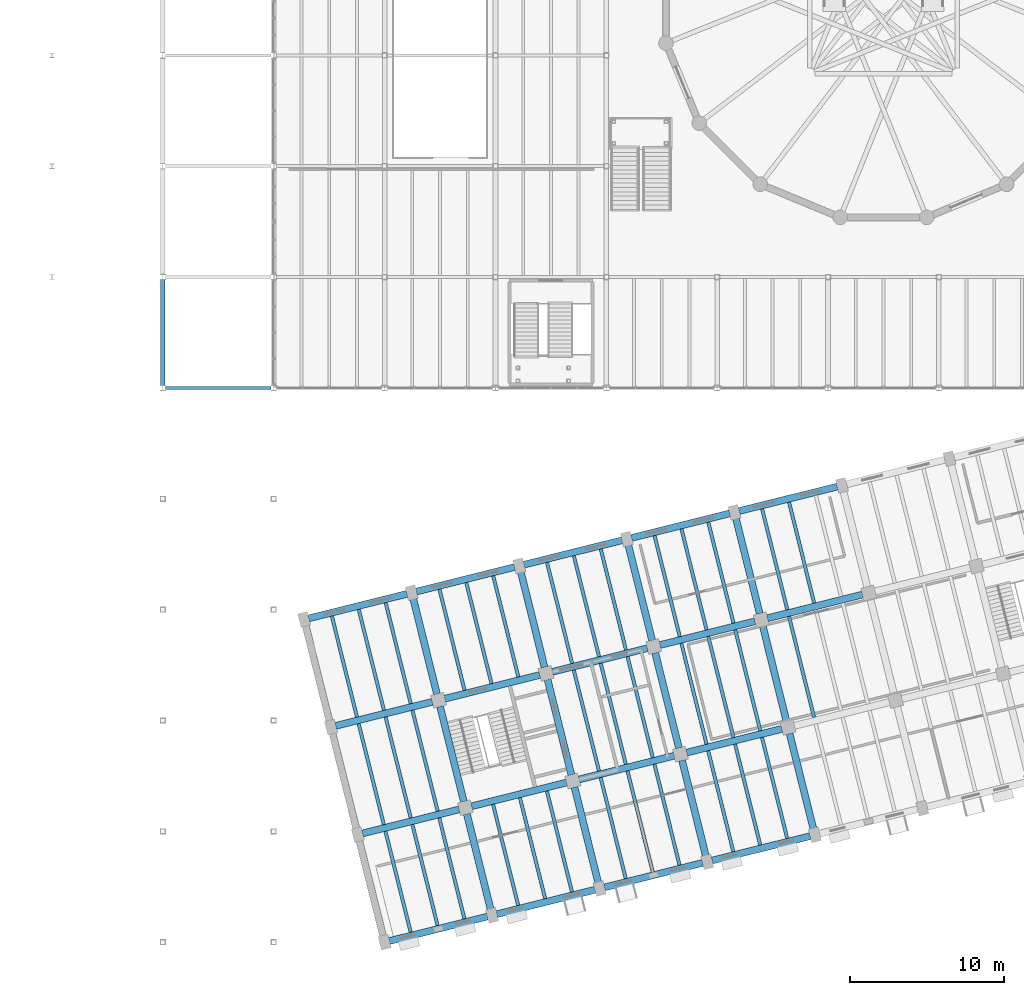
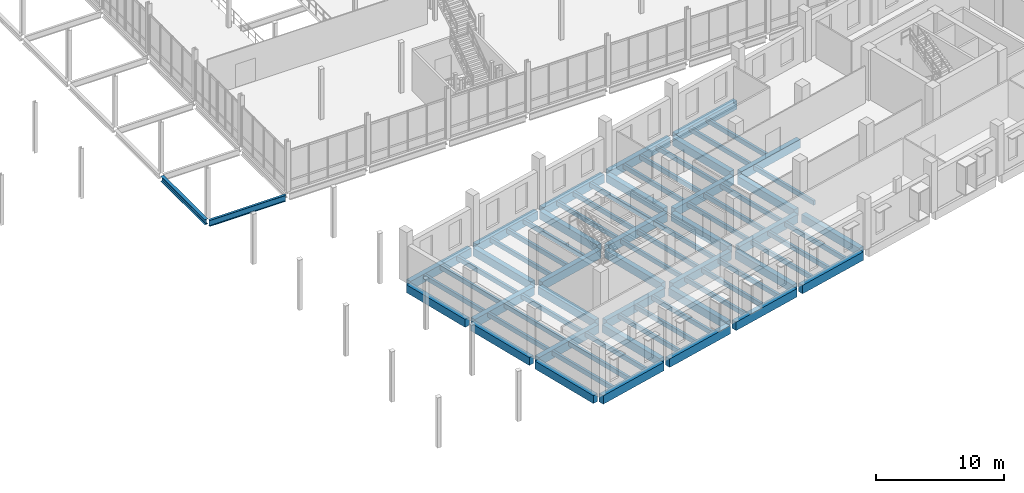
# One storey, part 19 of 77: 71 beams.
"""IFC4 building model written with IfcOpenShell, lengths in metres."""

import ifcopenshell
import ifcopenshell.guid

model = None  # the IFC model being written
_history = None  # IfcOwnerHistory: only IFC2X3 demands one
_inside = {}  # id of a spatial element -> (the spatial element, [elements in it])
_under = {}  # id of a project, library or spatial element -> (it, [spatial elements below it])
_declared = {}  # id of a project -> (the project, [libraries it declares])
_typed = {}  # id of a type object -> (the type object, [elements of that type])
_made_of = {}  # id of a material, layer set ... -> (it, [elements and type objects made of it])


def new_model(schema):
    """Start an empty IFC model of exactly this schema.

    Asked for "IFC4X3", IfcOpenShell would pick the latest addendum, in which some entities
    have other attributes; the version numbers below select the first issue.
    IFC2X3 requires an IfcOwnerHistory on every rooted entity: one is made here for all.
    """
    global model, _history
    if schema == "IFC4X3":
        model = ifcopenshell.file(schema_version=(4, 3, 0, 0))
    else:
        model = ifcopenshell.file(schema=schema)
    _inside.clear()
    _under.clear()
    _declared.clear()
    _typed.clear()
    _made_of.clear()
    _history = None
    if model.schema == "IFC2X3":
        org = make("IfcOrganization", Name="unknown")
        user = make(
            "IfcPersonAndOrganization",
            ThePerson=make("IfcPerson", FamilyName="unknown"),
            TheOrganization=org,
        )
        app = make(
            "IfcApplication",
            ApplicationDeveloper=org,
            Version="unknown",
            ApplicationFullName="unknown",
            ApplicationIdentifier="unknown",
        )
        _history = make(
            "IfcOwnerHistory",
            OwningUser=user,
            OwningApplication=app,
            ChangeAction="ADDED",
            CreationDate=0,
        )
    return model


def make(cls, **values):
    """One entity of the class cls with the attributes given. An attribute that is None is left unset."""
    return model.create_entity(
        cls, **{name: value for name, value in values.items() if value is not None}
    )


def rooted(cls, **values):
    """An entity with a GlobalId (a new one), such as an element, a storey or a relation."""
    return make(cls, GlobalId=ifcopenshell.guid.new(), OwnerHistory=_history, **values)


def si_unit(unit_type, name, prefix=None):
    """IfcSIUnit, for example si_unit("LENGTHUNIT", "METRE", prefix="MILLI")."""
    return make("IfcSIUnit", UnitType=unit_type, Prefix=prefix, Name=name)


def assignment(units):
    """IfcUnitAssignment: the units of a project."""
    return None if units is None else make("IfcUnitAssignment", Units=units)


def point(xyz):
    """IfcCartesianPoint."""
    return None if xyz is None else make("IfcCartesianPoint", Coordinates=xyz)


def direction(xyz):
    """IfcDirection."""
    return None if xyz is None else make("IfcDirection", DirectionRatios=xyz)


def frame(location, z_axis=None, x_axis=None):
    """IfcAxis2Placement3D, a coordinate frame: its origin and axes. An axis left out is left unset."""
    return make(
        "IfcAxis2Placement3D",
        Location=point(location),
        Axis=direction(z_axis),
        RefDirection=direction(x_axis),
    )


def frame_2d(location, x_axis=None):
    """IfcAxis2Placement2D, a coordinate frame in the plane: its origin and x axis."""
    return make(
        "IfcAxis2Placement2D", Location=point(location), RefDirection=direction(x_axis)
    )


def origin():
    """The frame at (0, 0, 0) with its axes left unset."""
    return frame((0.0, 0.0, 0.0))


def origin_2d():
    """The frame at (0, 0) in the plane with its x axis left unset."""
    return frame_2d((0.0, 0.0))


def place(relative_to, where):
    """IfcLocalPlacement: puts the frame where relative to a parent placement (None: the world)."""
    return make(
        "IfcLocalPlacement", PlacementRelTo=relative_to, RelativePlacement=where
    )


def context(
    kind, dimensions, precision=None, world=None, true_north=None, identifier=None
):
    """IfcGeometricRepresentationContext, for example the 3D "Model" context."""
    return make(
        "IfcGeometricRepresentationContext",
        ContextIdentifier=identifier,
        ContextType=kind,
        CoordinateSpaceDimension=dimensions,
        Precision=precision,
        WorldCoordinateSystem=world,
        TrueNorth=true_north,
    )


def subcontext(parent, identifier, kind, view, scale=None):
    """IfcGeometricRepresentationSubContext, for example "Body" below "Model"."""
    return make(
        "IfcGeometricRepresentationSubContext",
        ContextIdentifier=identifier,
        ContextType=kind,
        ParentContext=parent,
        TargetScale=scale,
        TargetView=view,
    )


def project(units=None, contexts=None):
    """IfcProject with its units and contexts."""
    return rooted(
        "IfcProject",
        Name="project",
        RepresentationContexts=contexts,
        UnitsInContext=assignment(units),
    )


def spatial(cls, under=None, at=None, **own):
    """A site, building, storey or space (cls), placed at a placement, below another one or the project."""
    s = rooted(cls, ObjectPlacement=at, **own)
    if under is not None:
        _under.setdefault(under.id(), (under, []))[1].append(s)
    return s


def profile(cls, at=None, kind="AREA", **sizes):
    """A parametric profile (cls). Its sizes go by their IFC names, for example OverallWidth=200.0."""
    return make(cls, ProfileType=kind, Position=at, **sizes)


def rectangle(**sizes):
    """IfcRectangleProfileDef."""
    return profile("IfcRectangleProfileDef", **sizes)


def i_section(**sizes):
    """IfcIShapeProfileDef."""
    return profile("IfcIShapeProfileDef", **sizes)


def extrude(swept, where, along, depth):
    """IfcExtrudedAreaSolid: the profile swept, set in the frame where, extruded along a direction by depth."""
    return make(
        "IfcExtrudedAreaSolid",
        SweptArea=swept,
        Position=where,
        ExtrudedDirection=direction(along),
        Depth=depth,
    )


def shape(context_of_items, identifier, shape_type, items):
    """IfcShapeRepresentation: the items that make up one representation, for example the "Body"."""
    return make(
        "IfcShapeRepresentation",
        ContextOfItems=context_of_items,
        RepresentationIdentifier=identifier,
        RepresentationType=shape_type,
        Items=items,
    )


def material(Name=None, Category=None):
    """IfcMaterial."""
    return make("IfcMaterial", Name=Name, Category=Category)


def material_profile(
    of_material, cross_section, Name=None, Category=None, Priority=None
):
    """IfcMaterialProfile: a cross section and its material."""
    return make(
        "IfcMaterialProfile",
        Name=Name,
        Material=of_material,
        Profile=cross_section,
        Priority=Priority,
        Category=Category,
    )


def profile_set(profiles, Name=None, composite=None):
    """IfcMaterialProfileSet."""
    return make(
        "IfcMaterialProfileSet",
        Name=Name,
        MaterialProfiles=profiles,
        CompositeProfile=composite,
    )


def made_of(thing, what):
    """Note that an element or type object is made of a material, layer set ...; save() writes the relation."""
    if what is not None:
        _made_of.setdefault(what.id(), (what, []))[1].append(thing)
    return thing


def type_object(cls, material=None, **own):
    """A type object (cls), such as IfcWallType, which elements share."""
    return made_of(rooted(cls, **own), material)


def element(
    cls,
    number,
    at=None,
    inside=None,
    cuts=None,
    type_object=None,
    material=None,
    context=None,
    identifier="Body",
    shape_type=None,
    held_by="IfcProductDefinitionShape",
    body=None,
    shapes=None,
    **own,
):
    """One element of the class cls, such as IfcWall. Its Tag is "e" and its number.

    at: its placement. inside: the storey or other place that contains it. cuts: it is an
    opening in that element (IfcRelVoidsElement). A single representation is given by context,
    identifier, shape_type and body (its items); several are given by shapes. held_by: the class
    of the entity that holds the representations. save() writes the other relations.
    """
    e = rooted(cls, Tag="e%d" % number, ObjectPlacement=at, **own)
    if body is not None:
        shapes = [shape(context, identifier, shape_type, body)]
    if shapes is not None:
        e.Representation = make(held_by, Representations=shapes)
    if inside is not None:
        _inside.setdefault(inside.id(), (inside, []))[1].append(e)
    if cuts is not None:
        rooted(
            "IfcRelVoidsElement", RelatingBuildingElement=cuts, RelatedOpeningElement=e
        )
    if type_object is not None:
        _typed.setdefault(type_object.id(), (type_object, []))[1].append(e)
    return made_of(e, material)


def aggregate(whole, parts):
    """IfcRelAggregates: a whole, such as a stair, and the parts it consists of."""
    return rooted("IfcRelAggregates", RelatingObject=whole, RelatedObjects=parts)


def save(model, path):
    """Write the relations noted so far, then the file.

    IfcRelAggregates (storeys below a building ...), IfcRelContainedInSpatialStructure (elements
    in a storey), IfcRelDefinesByType, IfcRelAssociatesMaterial and IfcRelDeclares: one each for
    every whole, place, type object, material and project.
    """
    for whole, parts in _under.values():
        aggregate(whole, parts)
    for where, things in _inside.values():
        rooted(
            "IfcRelContainedInSpatialStructure",
            RelatedElements=things,
            RelatingStructure=where,
        )
    for kind, things in _typed.values():
        rooted("IfcRelDefinesByType", RelatedObjects=things, RelatingType=kind)
    for what, things in _made_of.values():
        rooted("IfcRelAssociatesMaterial", RelatedObjects=things, RelatingMaterial=what)
    for by, libraries in _declared.values():
        rooted("IfcRelDeclares", RelatingContext=by, RelatedDefinitions=libraries)
    model.write(path)


model = new_model("IFC4")

# Units and contexts
model_context = context("Model", 3, precision=1e-05, world=origin(), true_north=direction((0.0, 1.0)))
body_context = subcontext(model_context, "Body", "Model", "MODEL_VIEW")
ifc_project = project(units=[si_unit("LENGTHUNIT", "METRE"), si_unit("AREAUNIT", "SQUARE_METRE"), si_unit("VOLUMEUNIT", "CUBIC_METRE"), si_unit("PLANEANGLEUNIT", "RADIAN"), si_unit("MASSUNIT", "GRAM", prefix="KILO")], contexts=[model_context])

# Site, building, storey
site_placement = place(None, origin())
site = spatial("IfcSite", under=ifc_project, at=site_placement, CompositionType="ELEMENT")
building_placement = place(site_placement, origin())
building = spatial("IfcBuilding", under=site, at=building_placement, Name="Qiaolan Assembly House", CompositionType="ELEMENT")
storey_placement = place(building_placement, frame((0.0, 0.0, 5.39990234375)))
storey = spatial("IfcBuildingStorey", under=building, at=storey_placement, Name="L01", CompositionType="ELEMENT", Elevation=5.39990234375)

# Beams
ifc_material_1 = material(Name="Concrete C40/50", Category="concrete")
ifc_material_profile_1 = material_profile(ifc_material_1, rectangle(XDim=0.449951171875, YDim=0.75, at=origin_2d()), Name="RCB 450x750")
ifc_profile_set_1 = profile_set([ifc_material_profile_1], Name="Concrete C40/50")
beam_type_1 = type_object("IfcBeamType", Name="BM-RC-450x750", PredefinedType="BEAM", material=ifc_profile_set_1)
for number, where, z_axis, x_axis, name in (
    (1, (35.923828125, 0.3056640625, -0.625), (-0.24191477664, 0.970297501204, 0.0), (-0.970297501204, -0.24191477664, 0.0), "GB-04 beam BMV-SE-L01-00-00"),
    (2, (34.181884765625, 7.291748046875, -0.625), (-0.24191477664, 0.970297501204, 0.0), (-0.970297501204, -0.24191477664, 0.0), "GB-04 beam BMV-SE-L01-00-01"),
):
    element("IfcBeam", number, at=place(storey_placement, frame(where, z_axis=z_axis, x_axis=x_axis)), inside=storey, type_object=beam_type_1, Name=name, PredefinedType="BEAM", context=body_context, shape_type="SweptSolid", body=[
        extrude(rectangle(XDim=0.449951171875, YDim=0.75, at=origin_2d()), origin(), (0.0, 0.0, 1.0), 6.56982421875),
    ])
beam_1_placement = place(storey_placement, frame((32.440185546875, 14.27783203125, -0.625), z_axis=(-0.241941038466, 0.970290953223, 0.0), x_axis=(-0.970290953223, -0.241941038466, 0.0)))
element("IfcBeam", 3, at=beam_1_placement, inside=storey, type_object=beam_type_1, Name="GB-04 beam BMV-SE-L01-00-02", PredefinedType="BEAM", context=body_context, shape_type="SweptSolid", body=[
    extrude(rectangle(XDim=0.449951171875, YDim=0.75, at=origin_2d()), origin(), (0.0, 0.0, 1.0), 6.5703125),
])
beam_2_placement = place(storey_placement, frame((42.909912109375, 2.04736328125, -0.625), z_axis=(-0.241914070503, 0.970297677258, 0.0), x_axis=(-0.970297677258, -0.241914070503, 0.0)))
element("IfcBeam", 4, at=beam_2_placement, inside=storey, type_object=beam_type_1, Name="GB-04 beam BMV-SE-L01-01-00", PredefinedType="BEAM", context=body_context, shape_type="SweptSolid", body=[
    extrude(rectangle(XDim=0.449951171875, YDim=0.75, at=origin_2d()), origin(), (0.0, 0.0, 1.0), 6.469970703125),
])
beam_3_placement = place(storey_placement, frame((41.143798828125, 9.130615234375, -0.625), z_axis=(-0.241913342219, 0.970297858833, 0.0), x_axis=(-0.970297858833, -0.241913342219, 0.0)))
element("IfcBeam", 5, at=beam_3_placement, inside=storey, type_object=beam_type_1, Name="GB-04 beam BMV-SE-L01-01-01", PredefinedType="BEAM", context=body_context, shape_type="SweptSolid", body=[
    extrude(rectangle(XDim=0.449951171875, YDim=0.75, at=origin_2d()), origin(), (0.0, 0.0, 1.0), 6.3701171875),
])
for number, where, z_axis, x_axis, name in (
    (6, (39.402099609375, 16.11669921875, -0.625), (-0.241914070503, 0.970297677258, 0.0), (-0.970297677258, -0.241914070503, 0.0), "GB-04 beam BMV-SE-L01-01-02"),
    (7, (49.89599609375, 3.789306640625, -0.625), (-0.241914070503, 0.970297677258, 0.0), (-0.970297677258, -0.241914070503, 0.0), "GB-04 beam BMV-SE-L01-02-00"),
):
    element("IfcBeam", number, at=place(storey_placement, frame(where, z_axis=z_axis, x_axis=x_axis)), inside=storey, type_object=beam_type_1, Name=name, PredefinedType="BEAM", context=body_context, shape_type="SweptSolid", body=[
        extrude(rectangle(XDim=0.449951171875, YDim=0.75, at=origin_2d()), origin(), (0.0, 0.0, 1.0), 6.469970703125),
    ])
beam_4_placement = place(storey_placement, frame((48.130126953125, 10.87255859375, -0.625), z_axis=(-0.241958422416, 0.970286618388, 0.0), x_axis=(-0.970286618388, -0.241958422416, 0.0)))
element("IfcBeam", 8, at=beam_4_placement, inside=storey, type_object=beam_type_1, Name="GB-04 beam BMV-SE-L01-02-01", PredefinedType="BEAM", context=body_context, shape_type="SweptSolid", body=[
    extrude(rectangle(XDim=0.449951171875, YDim=0.75, at=origin_2d()), origin(), (0.0, 0.0, 1.0), 6.369873046875),
])
for number, where, z_axis, x_axis, name in (
    (9, (46.38818359375, 17.858642578125, -0.625), (-0.241914070503, 0.970297677258, 0.0), (-0.970297677258, -0.241914070503, 0.0), "GB-04 beam BMV-SE-L01-02-02"),
    (10, (56.882080078125, 5.53125, -0.625), (-0.241914070503, 0.970297677258, 0.0), (-0.970297677258, -0.241914070503, 0.0), "GB-04 beam BMV-SE-L01-03-00"),
):
    element("IfcBeam", number, at=place(storey_placement, frame(where, z_axis=z_axis, x_axis=x_axis)), inside=storey, type_object=beam_type_1, Name=name, PredefinedType="BEAM", context=body_context, shape_type="SweptSolid", body=[
        extrude(rectangle(XDim=0.449951171875, YDim=0.75, at=origin_2d()), origin(), (0.0, 0.0, 1.0), 6.469970703125),
    ])
beam_5_placement = place(storey_placement, frame((55.1162109375, 12.6142578125, -0.625), z_axis=(-0.241913342219, 0.970297858833, 0.0), x_axis=(-0.970297858833, -0.241913342219, 0.0)))
element("IfcBeam", 11, at=beam_5_placement, inside=storey, type_object=beam_type_1, Name="GB-04 beam BMV-SE-L01-03-01", PredefinedType="BEAM", context=body_context, shape_type="SweptSolid", body=[
    extrude(rectangle(XDim=0.449951171875, YDim=0.75, at=origin_2d()), origin(), (0.0, 0.0, 1.0), 6.3701171875),
])
for number, where, z_axis, x_axis, name in (
    (12, (53.374267578125, 19.600341796875, -0.625), (-0.241914070503, 0.970297677258, 0.0), (-0.970297677258, -0.241914070503, 0.0), "GB-04 beam BMV-SE-L01-03-02"),
    (13, (63.868408203125, 7.27294921875, -0.625), (-0.241949595936, 0.970288819386, 0.0), (-0.970288819386, -0.241949595936, 0.0), "GB-04 beam BMV-SE-L01-04-00"),
):
    element("IfcBeam", number, at=place(storey_placement, frame(where, z_axis=z_axis, x_axis=x_axis)), inside=storey, type_object=beam_type_1, Name=name, PredefinedType="BEAM", context=body_context, shape_type="SweptSolid", body=[
        extrude(rectangle(XDim=0.449951171875, YDim=0.75, at=origin_2d()), origin(), (0.0, 0.0, 1.0), 6.469970703125),
    ])
beam_6_placement = place(storey_placement, frame((62.102294921875, 14.356201171875, -0.625), z_axis=(-0.241922338715, 0.970295615795, 0.0), x_axis=(-0.970295615795, -0.241922338715, 0.0)))
element("IfcBeam", 14, at=beam_6_placement, inside=storey, type_object=beam_type_1, Name="GB-04 beam BMV-SE-L01-04-01", PredefinedType="BEAM", context=body_context, shape_type="SweptSolid", body=[
    extrude(rectangle(XDim=0.449951171875, YDim=0.75, at=origin_2d()), origin(), (0.0, 0.0, 1.0), 6.369873046875),
])
beam_7_placement = place(storey_placement, frame((60.3603515625, 21.34228515625, -0.625), z_axis=(-0.241914070503, 0.970297677258, 0.0), x_axis=(-0.970297677258, -0.241914070503, 0.0)))
element("IfcBeam", 15, at=beam_7_placement, inside=storey, type_object=beam_type_1, Name="GB-04 beam BMV-SE-L01-04-02", PredefinedType="BEAM", context=body_context, shape_type="SweptSolid", body=[
    extrude(rectangle(XDim=0.449951171875, YDim=0.75, at=origin_2d()), origin(), (0.0, 0.0, 1.0), 6.469970703125),
])
ifc_material_profile_2 = material_profile(ifc_material_1, rectangle(XDim=0.449951171875, YDim=0.800048828125, at=origin_2d()), Name="RCB 450x800")
ifc_profile_set_2 = profile_set([ifc_material_profile_2], Name="Concrete C40/50")
beam_type_2 = type_object("IfcBeamType", Name="BM-RC-450x800", PredefinedType="BEAM", material=ifc_profile_set_2)
for number, where, z_axis, x_axis, name in (
    (16, (36.3056640625, 0.076171875, -0.64990234375), (0.970297501204, 0.24191477664, 0.0), (-0.24191477664, 0.970297501204, 0.0), "GB-03 beam BMU-SE-L01-00-00"),
    (17, (43.291748046875, 1.818115234375, -0.64990234375), (0.970297501204, 0.24191477664, 0.0), (-0.24191477664, 0.970297501204, 0.0), "GB-03 beam BMU-SE-L01-01-00"),
):
    element("IfcBeam", number, at=place(storey_placement, frame(where, z_axis=z_axis, x_axis=x_axis)), inside=storey, type_object=beam_type_2, Name=name, PredefinedType="BEAM", context=body_context, shape_type="SweptSolid", body=[
        extrude(rectangle(XDim=0.449951171875, YDim=0.800048828125, at=origin_2d()), origin(), (0.0, 0.0, 1.0), 6.56982421875),
    ])
beam_8_placement = place(storey_placement, frame((50.27783203125, 3.559814453125, -0.64990234375), z_axis=(0.970290953223, 0.241941038466, 0.0), x_axis=(-0.241941038466, 0.970290953223, 0.0)))
element("IfcBeam", 18, at=beam_8_placement, inside=storey, type_object=beam_type_2, Name="GB-03 beam BMU-SE-L01-02-00", PredefinedType="BEAM", context=body_context, shape_type="SweptSolid", body=[
    extrude(rectangle(XDim=0.449951171875, YDim=0.800048828125, at=origin_2d()), origin(), (0.0, 0.0, 1.0), 6.5703125),
])
beam_9_placement = place(storey_placement, frame((57.263916015625, 5.3017578125, -0.64990234375), z_axis=(0.970299675821, 0.241906054289, 0.0), x_axis=(-0.241906054289, 0.970299675821, 0.0)))
element("IfcBeam", 19, at=beam_9_placement, inside=storey, type_object=beam_type_2, Name="GB-03 beam BMU-SE-L01-03-00", PredefinedType="BEAM", context=body_context, shape_type="SweptSolid", body=[
    extrude(rectangle(XDim=0.449951171875, YDim=0.800048828125, at=origin_2d()), origin(), (0.0, 0.0, 1.0), 6.570068359375),
])
beam_10_placement = place(storey_placement, frame((34.563720703125, 7.062255859375, -0.64990234375), z_axis=(0.970288819386, 0.241949595936, 0.0), x_axis=(-0.241949595936, 0.970288819386, 0.0)))
element("IfcBeam", 20, at=beam_10_placement, inside=storey, type_object=beam_type_2, Name="GB-03 beam BMU-SE-L01-00-01", PredefinedType="BEAM", context=body_context, shape_type="SweptSolid", body=[
    extrude(rectangle(XDim=0.449951171875, YDim=0.800048828125, at=origin_2d()), origin(), (0.0, 0.0, 1.0), 6.469970703125),
])
beam_11_placement = place(storey_placement, frame((41.64697265625, 8.828369140625, -0.64990234375), z_axis=(0.970295615795, 0.241922338715, 0.0), x_axis=(-0.241922338715, 0.970295615795, 0.0)))
element("IfcBeam", 21, at=beam_11_placement, inside=storey, type_object=beam_type_2, Name="GB-03 beam BMU-SE-L01-01-01", PredefinedType="BEAM", context=body_context, shape_type="SweptSolid", body=[
    extrude(rectangle(XDim=0.449951171875, YDim=0.800048828125, at=origin_2d()), origin(), (0.0, 0.0, 1.0), 6.369873046875),
])
for number, where, z_axis, x_axis, name in (
    (22, (48.633056640625, 10.5703125, -0.64990234375), (0.970297858833, 0.241913342219, 0.0), (-0.241913342219, 0.970297858833, 0.0), "GB-03 beam BMU-SE-L01-02-01"),
    (23, (55.619140625, 12.31201171875, -0.64990234375), (0.970297858833, 0.241913342219, 0.0), (-0.241913342219, 0.970297858833, 0.0), "GB-03 beam BMU-SE-L01-03-01"),
):
    element("IfcBeam", number, at=place(storey_placement, frame(where, z_axis=z_axis, x_axis=x_axis)), inside=storey, type_object=beam_type_2, Name=name, PredefinedType="BEAM", context=body_context, shape_type="SweptSolid", body=[
        extrude(rectangle(XDim=0.449951171875, YDim=0.800048828125, at=origin_2d()), origin(), (0.0, 0.0, 1.0), 6.3701171875),
    ])
beam_12_placement = place(storey_placement, frame((32.822021484375, 14.048583984375, -0.64990234375), z_axis=(0.970297677258, 0.241914070503, 0.0), x_axis=(-0.241914070503, 0.970297677258, 0.0)))
element("IfcBeam", 24, at=beam_12_placement, inside=storey, type_object=beam_type_2, Name="GB-03 beam BMU-SE-L01-00-02", PredefinedType="BEAM", context=body_context, shape_type="SweptSolid", body=[
    extrude(rectangle(XDim=0.449951171875, YDim=0.800048828125, at=origin_2d()), origin(), (0.0, 0.0, 1.0), 6.469970703125),
])
beam_13_placement = place(storey_placement, frame((39.905029296875, 15.814453125, -0.64990234375), z_axis=(0.970297858833, 0.241913342219, 0.0), x_axis=(-0.241913342219, 0.970297858833, 0.0)))
element("IfcBeam", 25, at=beam_13_placement, inside=storey, type_object=beam_type_2, Name="GB-03 beam BMU-SE-L01-01-02", PredefinedType="BEAM", context=body_context, shape_type="SweptSolid", body=[
    extrude(rectangle(XDim=0.449951171875, YDim=0.800048828125, at=origin_2d()), origin(), (0.0, 0.0, 1.0), 6.3701171875),
])
for number, where, z_axis, x_axis, name in (
    (26, (46.891357421875, 17.556396484375, -0.64990234375), (0.970295615795, 0.241922338715, 0.0), (-0.241922338715, 0.970295615795, 0.0), "GB-03 beam BMU-SE-L01-02-02"),
    (27, (53.87744140625, 19.298095703125, -0.64990234375), (0.970295615795, 0.241922338715, 0.0), (-0.241922338715, 0.970295615795, 0.0), "GB-03 beam BMU-SE-L01-03-02"),
    (28, (60.863525390625, 21.0400390625, -0.64990234375), (0.970295615795, 0.241922338715, 0.0), (-0.241922338715, 0.970295615795, 0.0), "GB-03 beam BMU-SE-L01-04-02"),
):
    element("IfcBeam", number, at=place(storey_placement, frame(where, z_axis=z_axis, x_axis=x_axis)), inside=storey, type_object=beam_type_2, Name=name, PredefinedType="BEAM", context=body_context, shape_type="SweptSolid", body=[
        extrude(rectangle(XDim=0.449951171875, YDim=0.800048828125, at=origin_2d()), origin(), (0.0, 0.0, 1.0), 6.369873046875),
    ])
beam_14_placement = place(storey_placement, frame((31.080078125, 21.03466796875, -0.64990234375), z_axis=(0.970299675821, 0.241906054289, 0.0), x_axis=(-0.241906054289, 0.970299675821, 0.0)))
element("IfcBeam", 29, at=beam_14_placement, inside=storey, type_object=beam_type_2, Name="GB-03 beam BMU-SE-L01-00-03", PredefinedType="BEAM", context=body_context, shape_type="SweptSolid", body=[
    extrude(rectangle(XDim=0.449951171875, YDim=0.800048828125, at=origin_2d()), origin(), (0.0, 0.0, 1.0), 6.570068359375),
])
beam_15_placement = place(storey_placement, frame((38.066162109375, 22.7763671875, -0.64990234375), z_axis=(0.970290953223, 0.241941038466, 0.0), x_axis=(-0.241941038466, 0.970290953223, 0.0)))
element("IfcBeam", 30, at=beam_15_placement, inside=storey, type_object=beam_type_2, Name="GB-03 beam BMU-SE-L01-01-03", PredefinedType="BEAM", context=body_context, shape_type="SweptSolid", body=[
    extrude(rectangle(XDim=0.449951171875, YDim=0.800048828125, at=origin_2d()), origin(), (0.0, 0.0, 1.0), 6.5703125),
])
beam_16_placement = place(storey_placement, frame((45.052490234375, 24.518310546875, -0.64990234375), z_axis=(0.970297501204, 0.24191477664, 0.0), x_axis=(-0.24191477664, 0.970297501204, 0.0)))
element("IfcBeam", 31, at=beam_16_placement, inside=storey, type_object=beam_type_2, Name="GB-03 beam BMU-SE-L01-02-03", PredefinedType="BEAM", context=body_context, shape_type="SweptSolid", body=[
    extrude(rectangle(XDim=0.449951171875, YDim=0.800048828125, at=origin_2d()), origin(), (0.0, 0.0, 1.0), 6.56982421875),
])
beam_17_placement = place(storey_placement, frame((52.03857421875, 26.260009765625, -0.64990234375), z_axis=(0.970288777997, 0.241949761922, 0.0), x_axis=(-0.241949761922, 0.970288777997, 0.0)))
element("IfcBeam", 32, at=beam_17_placement, inside=storey, type_object=beam_type_2, Name="GB-03 beam BMU-SE-L01-03-03", PredefinedType="BEAM", context=body_context, shape_type="SweptSolid", body=[
    extrude(rectangle(XDim=0.449951171875, YDim=0.800048828125, at=origin_2d()), origin(), (0.0, 0.0, 1.0), 6.570068359375),
])
beam_18_placement = place(storey_placement, frame((59.024658203125, 28.001953125, -0.64990234375), z_axis=(0.970297501204, 0.24191477664, 0.0), x_axis=(-0.24191477664, 0.970297501204, 0.0)))
element("IfcBeam", 33, at=beam_18_placement, inside=storey, type_object=beam_type_2, Name="GB-03 beam BMU-SE-L01-04-03", PredefinedType="BEAM", context=body_context, shape_type="SweptSolid", body=[
    extrude(rectangle(XDim=0.449951171875, YDim=0.800048828125, at=origin_2d()), origin(), (0.0, 0.0, 1.0), 6.56982421875),
])
ifc_material_2 = material(Name="Steel Q355B", Category="steel")
ifc_material_profile_3 = material_profile(ifc_material_2, i_section(OverallWidth=0.300048828125, OverallDepth=0.488037109375, WebThickness=0.010986328125, FlangeThickness=0.01806640625, FilletRadius=0.02001953125, at=origin_2d()), Name="HM 488x300x11x18")
ifc_profile_set_3 = profile_set([ifc_material_profile_3], Name="Steel Q355B")
beam_type_3 = type_object("IfcBeamType", Name="BM-STL-HM488", PredefinedType="BEAM", material=ifc_profile_set_3)
beam_19_placement = place(storey_placement, frame((21.60009765625, 36.1650390625, -0.5439453125), z_axis=(0.0, 1.0, 0.0), x_axis=(-1.0, 0.0, 0.0)))
element("IfcBeam", 34, at=beam_19_placement, inside=storey, type_object=beam_type_3, Name="SB-04 beam BMY-HL-L01-00-00", PredefinedType="BEAM", context=body_context, shape_type="SweptSolid", body=[
    extrude(i_section(OverallWidth=0.300048828125, OverallDepth=0.488037109375, WebThickness=0.010986328125, FlangeThickness=0.01806640625, FilletRadius=0.02001953125, at=origin_2d()), origin(), (0.0, 0.0, 1.0), 6.869873046875),
])
ifc_material_profile_4 = material_profile(ifc_material_2, i_section(OverallWidth=0.199951171875, OverallDepth=0.60009765625, WebThickness=0.010986328125, FlangeThickness=0.01708984375, FilletRadius=0.02001953125, at=origin_2d()), Name="HN 600x200x11x17")
ifc_profile_set_4 = profile_set([ifc_material_profile_4], Name="Steel Q355B")
beam_type_4 = type_object("IfcBeamType", Name="BM-STL-HN600", PredefinedType="BEAM", material=ifc_profile_set_4)
beam_20_placement = place(storey_placement, frame((21.764892578125, 36.0, -0.599853515625), z_axis=(1.0, 0.0, 0.0), x_axis=(0.0, 1.0, 0.0)))
element("IfcBeam", 35, at=beam_20_placement, inside=storey, type_object=beam_type_4, Name="SB-03 beam BMX-HL-L01-00-00", PredefinedType="BEAM", context=body_context, shape_type="SweptSolid", body=[
    extrude(i_section(OverallWidth=0.199951171875, OverallDepth=0.60009765625, WebThickness=0.010986328125, FlangeThickness=0.01708984375, FilletRadius=0.02001953125, at=origin_2d()), origin(), (0.0, 0.0, 1.0), 6.8701171875),
])
ifc_material_profile_5 = material_profile(ifc_material_1, rectangle(XDim=0.219970703125, YDim=0.419921875, at=origin_2d()), Name="RCB 220x420")
ifc_profile_set_5 = profile_set([ifc_material_profile_5], Name="Concrete C40/50")
beam_type_5 = type_object("IfcBeamType", Name="JST-RC-220x420", PredefinedType="JOIST", material=ifc_profile_set_5)
for number, where, z_axis, x_axis, name in (
    (36, (37.693603515625, 0.64794921875, -0.4599609375), (-0.241940905686, 0.970290986331, 0.0), (-0.970290986331, -0.241940905686, 0.0), "RJ-03 beam JST-SE-L01-00-00-1"),
    (37, (39.440185546875, 1.08349609375, -0.4599609375), (-0.241940905686, 0.970290986331, 0.0), (-0.970290986331, -0.241940905686, 0.0), "RJ-03 beam JST-SE-L01-00-00-2"),
):
    element("IfcBeam", number, at=place(storey_placement, frame(where, z_axis=z_axis, x_axis=x_axis)), inside=storey, type_object=beam_type_5, Name=name, PredefinedType="JOIST", context=body_context, shape_type="SweptSolid", body=[
        extrude(rectangle(XDim=0.219970703125, YDim=0.419921875, at=origin_2d()), origin(), (0.0, 0.0, 1.0), 6.761962890625),
    ])
for number, where, z_axis, x_axis, name in (
    (38, (41.1865234375, 1.518798828125, -0.4599609375), (-0.241898439004, 0.970301574361, 0.0), (-0.970301574361, -0.241898439004, 0.0), "RJ-03 beam JST-SE-L01-00-00-3"),
    (39, (35.95166015625, 7.634033203125, -0.4599609375), (-0.241898439004, 0.970301574361, 0.0), (-0.970301574361, -0.241898439004, 0.0), "RJ-03 beam JST-SE-L01-00-01-1"),
):
    element("IfcBeam", number, at=place(storey_placement, frame(where, z_axis=z_axis, x_axis=x_axis)), inside=storey, type_object=beam_type_5, Name=name, PredefinedType="JOIST", context=body_context, shape_type="SweptSolid", body=[
        extrude(rectangle(XDim=0.219970703125, YDim=0.419921875, at=origin_2d()), origin(), (0.0, 0.0, 1.0), 6.76220703125),
    ])
beam_21_placement = place(storey_placement, frame((37.6982421875, 8.069580078125, -0.4599609375), z_axis=(-0.241940905686, 0.970290986331, 0.0), x_axis=(-0.970290986331, -0.241940905686, 0.0)))
element("IfcBeam", 40, at=beam_21_placement, inside=storey, type_object=beam_type_5, Name="RJ-03 beam JST-SE-L01-00-01-2", PredefinedType="JOIST", context=body_context, shape_type="SweptSolid", body=[
    extrude(rectangle(XDim=0.219970703125, YDim=0.419921875, at=origin_2d()), origin(), (0.0, 0.0, 1.0), 6.761962890625),
])
for number, where, z_axis, x_axis, name in (
    (41, (39.44482421875, 8.5048828125, -0.4599609375), (-0.241932430168, 0.970293099652, 0.0), (-0.970293099652, -0.241932430168, 0.0), "RJ-03 beam JST-SE-L01-00-01-3"),
    (42, (34.2099609375, 14.6201171875, -0.4599609375), (-0.241932430168, 0.970293099652, 0.0), (-0.970293099652, -0.241932430168, 0.0), "RJ-03 beam JST-SE-L01-00-02-1"),
):
    element("IfcBeam", number, at=place(storey_placement, frame(where, z_axis=z_axis, x_axis=x_axis)), inside=storey, type_object=beam_type_5, Name=name, PredefinedType="JOIST", context=body_context, shape_type="SweptSolid", body=[
        extrude(rectangle(XDim=0.219970703125, YDim=0.419921875, at=origin_2d()), origin(), (0.0, 0.0, 1.0), 6.76220703125),
    ])
for number, where, z_axis, x_axis, name in (
    (43, (35.956298828125, 15.0556640625, -0.4599609375), (-0.241906913479, 0.970299461615, 0.0), (-0.970299461615, -0.241906913479, 0.0), "RJ-03 beam JST-SE-L01-00-02-2"),
    (44, (37.702880859375, 15.4912109375, -0.4599609375), (-0.241906913479, 0.970299461615, 0.0), (-0.970299461615, -0.241906913479, 0.0), "RJ-03 beam JST-SE-L01-00-02-3"),
    (45, (44.6796875, 2.389892578125, -0.4599609375), (-0.241940905686, 0.970290986331, 0.0), (-0.970290986331, -0.241940905686, 0.0), "RJ-03 beam JST-SE-L01-01-00-1"),
):
    element("IfcBeam", number, at=place(storey_placement, frame(where, z_axis=z_axis, x_axis=x_axis)), inside=storey, type_object=beam_type_5, Name=name, PredefinedType="JOIST", context=body_context, shape_type="SweptSolid", body=[
        extrude(rectangle(XDim=0.219970703125, YDim=0.419921875, at=origin_2d()), origin(), (0.0, 0.0, 1.0), 6.761962890625),
    ])
beam_22_placement = place(storey_placement, frame((46.42626953125, 2.8251953125, -0.4599609375), z_axis=(-0.241932430168, 0.970293099652, 0.0), x_axis=(-0.970293099652, -0.241932430168, 0.0)))
element("IfcBeam", 46, at=beam_22_placement, inside=storey, type_object=beam_type_5, Name="RJ-03 beam JST-SE-L01-01-00-2", PredefinedType="JOIST", context=body_context, shape_type="SweptSolid", body=[
    extrude(rectangle(XDim=0.219970703125, YDim=0.419921875, at=origin_2d()), origin(), (0.0, 0.0, 1.0), 6.76220703125),
])
for number, where, z_axis, x_axis, name in (
    (47, (48.1728515625, 3.2607421875, -0.4599609375), (-0.241940905686, 0.970290986331, 0.0), (-0.970290986331, -0.241940905686, 0.0), "RJ-03 beam JST-SE-L01-01-00-3"),
    (48, (41.196044921875, 16.362060546875, -0.4599609375), (-0.241940905686, 0.970290986331, 0.0), (-0.970290986331, -0.241940905686, 0.0), "RJ-03 beam JST-SE-L01-01-02-1"),
    (49, (42.942626953125, 16.797607421875, -0.4599609375), (-0.241940905686, 0.970290986331, 0.0), (-0.970290986331, -0.241940905686, 0.0), "RJ-03 beam JST-SE-L01-01-02-2"),
):
    element("IfcBeam", number, at=place(storey_placement, frame(where, z_axis=z_axis, x_axis=x_axis)), inside=storey, type_object=beam_type_5, Name=name, PredefinedType="JOIST", context=body_context, shape_type="SweptSolid", body=[
        extrude(rectangle(XDim=0.219970703125, YDim=0.419921875, at=origin_2d()), origin(), (0.0, 0.0, 1.0), 6.761962890625),
    ])
for number, where, z_axis, x_axis, name in (
    (50, (44.68896484375, 17.23291015625, -0.4599609375), (-0.241898439004, 0.970301574361, 0.0), (-0.970301574361, -0.241898439004, 0.0), "RJ-03 beam JST-SE-L01-01-02-3"),
    (51, (51.665771484375, 4.131591796875, -0.4599609375), (-0.241898439004, 0.970301574361, 0.0), (-0.970301574361, -0.241898439004, 0.0), "RJ-03 beam JST-SE-L01-02-00-1"),
):
    element("IfcBeam", number, at=place(storey_placement, frame(where, z_axis=z_axis, x_axis=x_axis)), inside=storey, type_object=beam_type_5, Name=name, PredefinedType="JOIST", context=body_context, shape_type="SweptSolid", body=[
        extrude(rectangle(XDim=0.219970703125, YDim=0.419921875, at=origin_2d()), origin(), (0.0, 0.0, 1.0), 6.76220703125),
    ])
beam_23_placement = place(storey_placement, frame((53.412353515625, 4.567138671875, -0.4599609375), z_axis=(-0.241940905686, 0.970290986331, 0.0), x_axis=(-0.970290986331, -0.241940905686, 0.0)))
element("IfcBeam", 52, at=beam_23_placement, inside=storey, type_object=beam_type_5, Name="RJ-03 beam JST-SE-L01-02-00-2", PredefinedType="JOIST", context=body_context, shape_type="SweptSolid", body=[
    extrude(rectangle(XDim=0.219970703125, YDim=0.419921875, at=origin_2d()), origin(), (0.0, 0.0, 1.0), 6.761962890625),
])
for number, where, z_axis, x_axis, name in (
    (53, (55.158935546875, 5.00244140625, -0.4599609375), (-0.241932430168, 0.970293099652, 0.0), (-0.970293099652, -0.241932430168, 0.0), "RJ-03 beam JST-SE-L01-02-00-3"),
    (54, (49.924072265625, 11.11767578125, -0.4599609375), (-0.241932430168, 0.970293099652, 0.0), (-0.970293099652, -0.241932430168, 0.0), "RJ-03 beam JST-SE-L01-02-01-1"),
):
    element("IfcBeam", number, at=place(storey_placement, frame(where, z_axis=z_axis, x_axis=x_axis)), inside=storey, type_object=beam_type_5, Name=name, PredefinedType="JOIST", context=body_context, shape_type="SweptSolid", body=[
        extrude(rectangle(XDim=0.219970703125, YDim=0.419921875, at=origin_2d()), origin(), (0.0, 0.0, 1.0), 6.76220703125),
    ])
for number, where, z_axis, x_axis, name in (
    (55, (51.67041015625, 11.55322265625, -0.4599609375), (-0.241906913479, 0.970299461615, 0.0), (-0.970299461615, -0.241906913479, 0.0), "RJ-03 beam JST-SE-L01-02-01-2"),
    (56, (53.4169921875, 11.98876953125, -0.4599609375), (-0.241906913479, 0.970299461615, 0.0), (-0.970299461615, -0.241906913479, 0.0), "RJ-03 beam JST-SE-L01-02-01-3"),
    (57, (48.18212890625, 18.10400390625, -0.4599609375), (-0.241940905686, 0.970290986331, 0.0), (-0.970290986331, -0.241940905686, 0.0), "RJ-03 beam JST-SE-L01-02-02-1"),
):
    element("IfcBeam", number, at=place(storey_placement, frame(where, z_axis=z_axis, x_axis=x_axis)), inside=storey, type_object=beam_type_5, Name=name, PredefinedType="JOIST", context=body_context, shape_type="SweptSolid", body=[
        extrude(rectangle(XDim=0.219970703125, YDim=0.419921875, at=origin_2d()), origin(), (0.0, 0.0, 1.0), 6.761962890625),
    ])
beam_24_placement = place(storey_placement, frame((49.9287109375, 18.539306640625, -0.4599609375), z_axis=(-0.241932430168, 0.970293099652, 0.0), x_axis=(-0.970293099652, -0.241932430168, 0.0)))
element("IfcBeam", 58, at=beam_24_placement, inside=storey, type_object=beam_type_5, Name="RJ-03 beam JST-SE-L01-02-02-2", PredefinedType="JOIST", context=body_context, shape_type="SweptSolid", body=[
    extrude(rectangle(XDim=0.219970703125, YDim=0.419921875, at=origin_2d()), origin(), (0.0, 0.0, 1.0), 6.76220703125),
])
for number, where, z_axis, x_axis, name in (
    (59, (51.67529296875, 18.974853515625, -0.4599609375), (-0.241940905686, 0.970290986331, 0.0), (-0.970290986331, -0.241940905686, 0.0), "RJ-03 beam JST-SE-L01-02-02-3"),
    (60, (58.65185546875, 5.87353515625, -0.4599609375), (-0.241906913479, 0.970299461615, 0.0), (-0.970299461615, -0.241906913479, 0.0), "RJ-03 beam JST-SE-L01-03-00-1"),
):
    element("IfcBeam", number, at=place(storey_placement, frame(where, z_axis=z_axis, x_axis=x_axis)), inside=storey, type_object=beam_type_5, Name=name, PredefinedType="JOIST", context=body_context, shape_type="SweptSolid", body=[
        extrude(rectangle(XDim=0.219970703125, YDim=0.419921875, at=origin_2d()), origin(), (0.0, 0.0, 1.0), 6.761962890625),
    ])
beam_25_placement = place(storey_placement, frame((60.3984375, 6.308837890625, -0.4599609375), z_axis=(-0.241898439004, 0.970301574361, 0.0), x_axis=(-0.970301574361, -0.241898439004, 0.0)))
element("IfcBeam", 61, at=beam_25_placement, inside=storey, type_object=beam_type_5, Name="RJ-03 beam JST-SE-L01-03-00-2", PredefinedType="JOIST", context=body_context, shape_type="SweptSolid", body=[
    extrude(rectangle(XDim=0.219970703125, YDim=0.419921875, at=origin_2d()), origin(), (0.0, 0.0, 1.0), 6.76220703125),
])
for number, where, z_axis, x_axis, name in (
    (62, (62.14501953125, 6.744384765625, -0.4599609375), (-0.241940905686, 0.970290986331, 0.0), (-0.970290986331, -0.241940905686, 0.0), "RJ-03 beam JST-SE-L01-03-00-3"),
    (63, (56.91015625, 12.859619140625, -0.4599609375), (-0.241940905686, 0.970290986331, 0.0), (-0.970290986331, -0.241940905686, 0.0), "RJ-03 beam JST-SE-L01-03-01-1"),
    (64, (58.65673828125, 13.295166015625, -0.4599609375), (-0.241940905686, 0.970290986331, 0.0), (-0.970290986331, -0.241940905686, 0.0), "RJ-03 beam JST-SE-L01-03-01-2"),
):
    element("IfcBeam", number, at=place(storey_placement, frame(where, z_axis=z_axis, x_axis=x_axis)), inside=storey, type_object=beam_type_5, Name=name, PredefinedType="JOIST", context=body_context, shape_type="SweptSolid", body=[
        extrude(rectangle(XDim=0.219970703125, YDim=0.419921875, at=origin_2d()), origin(), (0.0, 0.0, 1.0), 6.761962890625),
    ])
for number, where, z_axis, x_axis, name in (
    (65, (60.403076171875, 13.73046875, -0.4599609375), (-0.241898439004, 0.970301574361, 0.0), (-0.970301574361, -0.241898439004, 0.0), "RJ-03 beam JST-SE-L01-03-01-3"),
    (66, (55.168212890625, 19.845703125, -0.4599609375), (-0.241898439004, 0.970301574361, 0.0), (-0.970301574361, -0.241898439004, 0.0), "RJ-03 beam JST-SE-L01-03-02-1"),
):
    element("IfcBeam", number, at=place(storey_placement, frame(where, z_axis=z_axis, x_axis=x_axis)), inside=storey, type_object=beam_type_5, Name=name, PredefinedType="JOIST", context=body_context, shape_type="SweptSolid", body=[
        extrude(rectangle(XDim=0.219970703125, YDim=0.419921875, at=origin_2d()), origin(), (0.0, 0.0, 1.0), 6.76220703125),
    ])
beam_26_placement = place(storey_placement, frame((56.914794921875, 20.28125, -0.4599609375), z_axis=(-0.241940905686, 0.970290986331, 0.0), x_axis=(-0.970290986331, -0.241940905686, 0.0)))
element("IfcBeam", 67, at=beam_26_placement, inside=storey, type_object=beam_type_5, Name="RJ-03 beam JST-SE-L01-03-02-2", PredefinedType="JOIST", context=body_context, shape_type="SweptSolid", body=[
    extrude(rectangle(XDim=0.219970703125, YDim=0.419921875, at=origin_2d()), origin(), (0.0, 0.0, 1.0), 6.761962890625),
])
for number, where, z_axis, x_axis, name in (
    (68, (58.661376953125, 20.716552734375, -0.4599609375), (-0.241932430168, 0.970293099652, 0.0), (-0.970293099652, -0.241932430168, 0.0), "RJ-03 beam JST-SE-L01-03-02-3"),
    (69, (63.896240234375, 14.601318359375, -0.4599609375), (-0.241932430168, 0.970293099652, 0.0), (-0.970293099652, -0.241932430168, 0.0), "RJ-03 beam JST-SE-L01-04-01-1"),
):
    element("IfcBeam", number, at=place(storey_placement, frame(where, z_axis=z_axis, x_axis=x_axis)), inside=storey, type_object=beam_type_5, Name=name, PredefinedType="JOIST", context=body_context, shape_type="SweptSolid", body=[
        extrude(rectangle(XDim=0.219970703125, YDim=0.419921875, at=origin_2d()), origin(), (0.0, 0.0, 1.0), 6.76220703125),
    ])
beam_27_placement = place(storey_placement, frame((62.154296875, 21.587646484375, -0.4599609375), z_axis=(-0.241906913479, 0.970299461615, 0.0), x_axis=(-0.970299461615, -0.241906913479, 0.0)))
element("IfcBeam", 70, at=beam_27_placement, inside=storey, type_object=beam_type_5, Name="RJ-03 beam JST-SE-L01-04-02-1", PredefinedType="JOIST", context=body_context, shape_type="SweptSolid", body=[
    extrude(rectangle(XDim=0.219970703125, YDim=0.419921875, at=origin_2d()), origin(), (0.0, 0.0, 1.0), 6.761962890625),
])
beam_28_placement = place(storey_placement, frame((63.90087890625, 22.02294921875, -0.4599609375), z_axis=(-0.241898439004, 0.970301574361, 0.0), x_axis=(-0.970301574361, -0.241898439004, 0.0)))
element("IfcBeam", 71, at=beam_28_placement, inside=storey, type_object=beam_type_5, Name="RJ-03 beam JST-SE-L01-04-02-2", PredefinedType="JOIST", context=body_context, shape_type="SweptSolid", body=[
    extrude(rectangle(XDim=0.219970703125, YDim=0.419921875, at=origin_2d()), origin(), (0.0, 0.0, 1.0), 6.76220703125),
])

save(model, "model.ifc")
